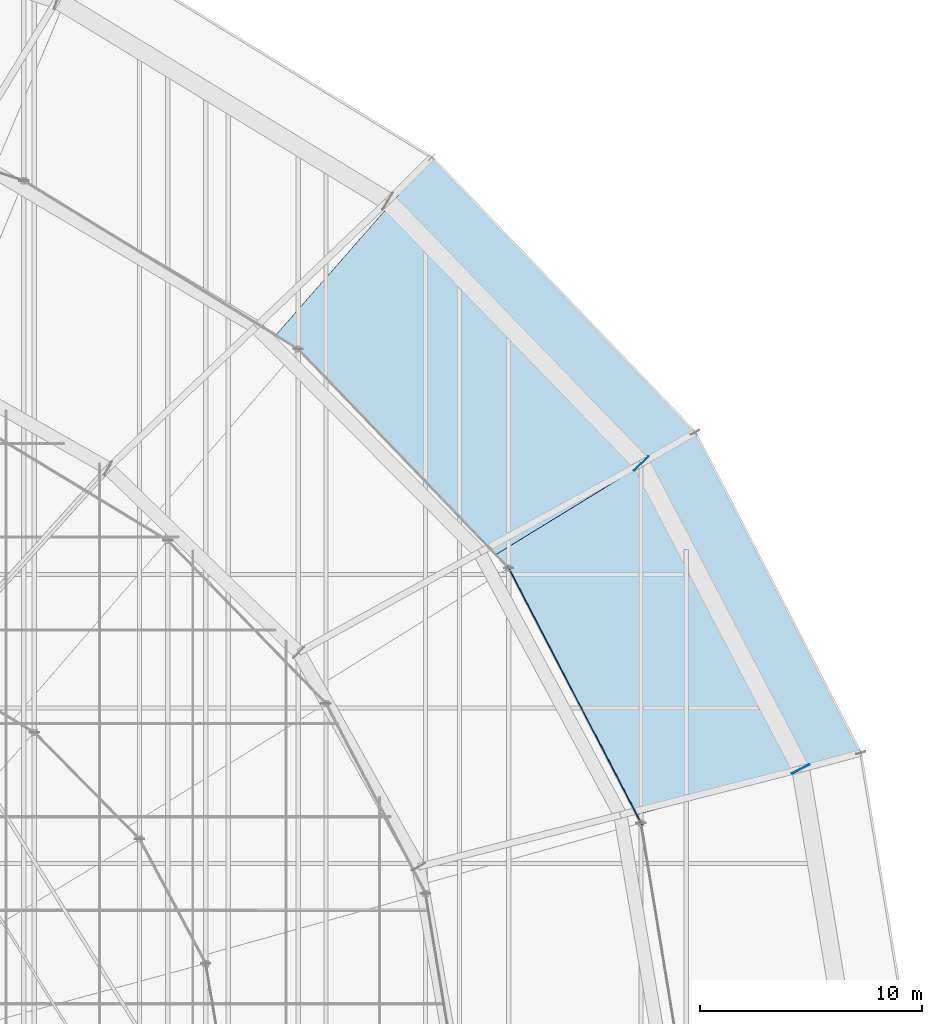
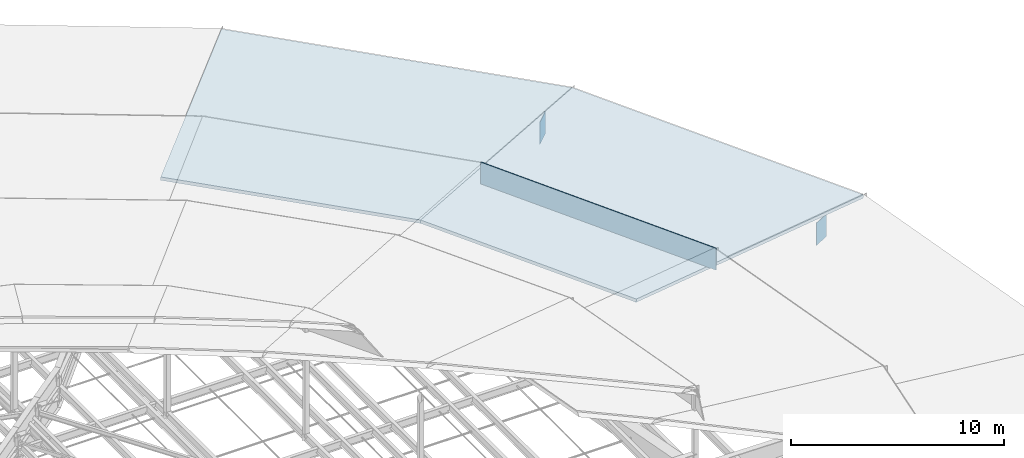
# One storey, part 157 of 184: 3 plates, 2 slabs.
"""IFC4 building model written with IfcOpenShell, lengths in metres."""

from ifc_helpers import new_model, si_unit, direction, frame, origin, origin_2d, place, context, subcontext, project, spatial, polyline, rectangle, outline, extrude, material, layer, layer_set, type_object, element, save


model = new_model("IFC4")

# Units and contexts
model_context = context("Model", 3, precision=1e-05, world=origin(), true_north=direction((0.0, 1.0)))
body_context = subcontext(model_context, "Body", "Model", "MODEL_VIEW")
ifc_project = project(units=[si_unit("LENGTHUNIT", "METRE"), si_unit("AREAUNIT", "SQUARE_METRE"), si_unit("VOLUMEUNIT", "CUBIC_METRE"), si_unit("PLANEANGLEUNIT", "RADIAN"), si_unit("MASSUNIT", "GRAM", prefix="KILO")], contexts=[model_context])

# Site, building, storey
site_placement = place(None, origin())
site = spatial("IfcSite", under=ifc_project, at=site_placement, CompositionType="ELEMENT")
building_placement = place(site_placement, origin())
building = spatial("IfcBuilding", under=site, at=building_placement, Name="Kalgoora Escarpment Arena", CompositionType="ELEMENT")
storey_placement = place(building_placement, frame((0.0, 0.0, 27.60009765625)))
storey = spatial("IfcBuildingStorey", under=building, at=storey_placement, Name="Roof Level", CompositionType="ELEMENT", Elevation=27.60009765625)

# Plates
ifc_material_1 = material(Name="Low-E double-glazed petal clerestory glass", Category="glass")
ifc_layer_1 = layer(ifc_material_1, 0.035888671875)
ifc_layer_set_1 = layer_set([ifc_layer_1], Name="PLT-PETAL-CLERESTORY")
plate_type_1 = type_object("IfcPlateType", Name="PLT-PETAL-CLERESTORY", PredefinedType="USERDEFINED", material=ifc_layer_set_1)
plate_placement = place(storey_placement, frame((151.59228515625, 82.059814453125, 0.260009765625), z_axis=(0.0, 0.0, 1.0), x_axis=(-0.46035473079, 0.8877350516, 0.0)))
element("IfcPlate", 1, at=plate_placement, inside=storey, type_object=plate_type_1, Name="Petal RP2 glazed clerestory collar panel S02", ObjectType="CLERESTORY PANEL", PredefinedType="USERDEFINED", context=body_context, shape_type="SweptSolid", body=[
    extrude(rectangle(XDim=13.12646484375, YDim=0.0400390625, at=origin_2d()), origin(), (0.0, 0.0, 1.0), 1.25),
])
ifc_material_2 = material(Name="Structural steel Grade 350 (350 MPa)", Category="steel")
ifc_layer_2 = layer(ifc_material_2, 0.031982421875)
ifc_layer_set_2 = layer_set([ifc_layer_2], Name="PLT-RING-DIAPH")
plate_type_2 = type_object("IfcPlateType", Name="PLT-RING-DIAPH", PredefinedType="USERDEFINED", material=ifc_layer_set_2)
for number, where, z_axis, x_axis, name in (
    (2, (161.75341796875, 78.752685546875, -2.09033203125), (0.0, 0.0, 1.0), (-0.462522500293, 0.8866075438, 0.0), "Compression ring node diaphragm plate 02"),
    (3, (154.58056640625, 92.5, -2.09033203125), (0.0, 0.0, 1.0), (-0.695034920658, 0.718975979477, 0.0), "Compression ring node diaphragm plate 03"),
):
    element("IfcPlate", number, at=place(storey_placement, frame(where, z_axis=z_axis, x_axis=x_axis)), inside=storey, type_object=plate_type_2, Name=name, ObjectType="FLANGE PLATE", PredefinedType="USERDEFINED", context=body_context, shape_type="SweptSolid", body=[
        extrude(rectangle(XDim=0.031982421875, YDim=0.8798828125, at=origin_2d()), origin(), (0.0, 0.0, 1.0), 1.280029296875),
    ])

# Slabs
ifc_material_3 = material(Name="White acoustic composite Concrete N40 (fc' 40 MPa)", Category="concrete")
ifc_layer_3 = layer(ifc_material_3, 0.179931640625)
ifc_layer_set_3 = layer_set([ifc_layer_3], Name="SLB-PETAL-RP1")
slab_type = type_object("IfcSlabType", Name="SLB-PETAL-RP1", PredefinedType="ROOF", material=ifc_layer_set_3)
slab_1_placement = place(storey_placement, frame((164.4580078125, 79.477294921875, -0.840087890625), z_axis=(0.095135617501, 0.049160030564, 0.994249719979), x_axis=(-0.459054835615, 0.888407934395, -1.705764e-06)))
element("IfcSlab", 4, at=slab_1_placement, inside=storey, type_object=slab_type, Name="Shifted white roof petal RP1 sector 02", PredefinedType="ROOF", context=body_context, shape_type="SweptSolid", body=[
    extrude(outline(polyline([(0.0, 0.0), (16.234215718144217, -8.881784197001252e-16), (15.142960008227972, 14.965159765013047), (3.131571700892453, 14.94191137049251), (0.0, 0.0)])), origin(), (0.0, 0.0, -1.0), 0.179931640625),
])
slab_2_placement = place(storey_placement, frame((157.005615234375, 93.89990234375, -0.840087890625), z_axis=(0.078796648794, 0.075433074783, 0.994032665141), x_axis=(-0.691495143171, 0.722381109218, -3.951876e-06)))
element("IfcSlab", 5, at=slab_2_placement, inside=storey, type_object=slab_type, Name="Shifted white roof petal RP1 sector 03", PredefinedType="ROOF", context=body_context, shape_type="SweptSolid", body=[
    extrude(outline(polyline([(0.0, 0.0), (17.144696152810855, 1.7763568394002505e-15), (15.86061643358841, 14.698320332202341), (3.15984067875583, 14.668143500814898), (0.0, 0.0)])), origin(), (0.0, 0.0, -1.0), 0.179931640625),
])

save(model, "model.ifc")
